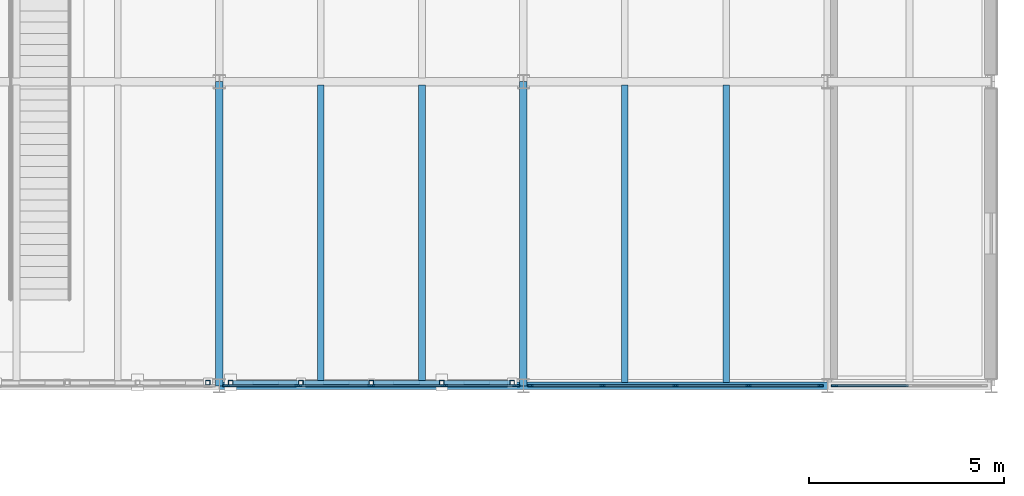
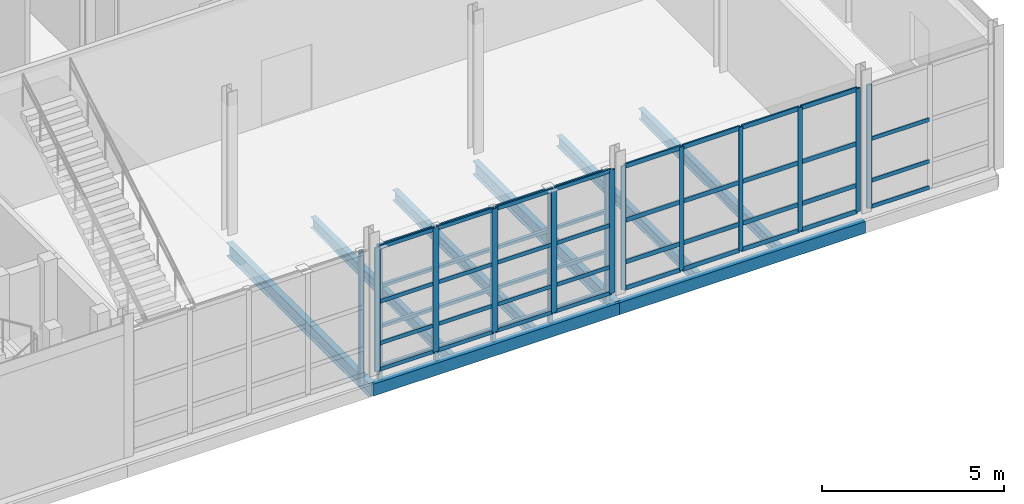
# One storey, part 60 of 131: 68 members, 8 beams, 3 elements without a shape of their own.
"""IFC4 building model written with IfcOpenShell, lengths in metres."""

from ifc_helpers import new_model, si_unit, direction, frame, origin, origin_2d, place, context, subcontext, project, spatial, rectangle, hollow_rectangle, i_section, extrude, material, layer, layer_set, material_profile, profile_set, type_object, element, aggregate, save


model = new_model("IFC4")

# Units and contexts
model_context = context("Model", 3, precision=1e-05, world=origin(), true_north=direction((0.0, 1.0)))
body_context = subcontext(model_context, "Body", "Model", "MODEL_VIEW")
ifc_project = project(units=[si_unit("LENGTHUNIT", "METRE"), si_unit("AREAUNIT", "SQUARE_METRE"), si_unit("VOLUMEUNIT", "CUBIC_METRE"), si_unit("PLANEANGLEUNIT", "RADIAN"), si_unit("MASSUNIT", "GRAM", prefix="KILO")], contexts=[model_context])

# Site, building, storey
site_placement = place(None, origin())
site = spatial("IfcSite", under=ifc_project, at=site_placement, CompositionType="ELEMENT")
building_placement = place(site_placement, origin())
building = spatial("IfcBuilding", under=site, at=building_placement, Name="Celorna Specialist Clinic", CompositionType="ELEMENT")
storey_placement = place(building_placement, origin())
storey = spatial("IfcBuildingStorey", under=building, at=storey_placement, Name="L00", CompositionType="ELEMENT", Elevation=0.0)

# Beams
ifc_material_1 = material(Name="Steel S355", Category="steel")
ifc_material_profile_1 = material_profile(ifc_material_1, i_section(OverallWidth=0.18994140625, OverallDepth=0.449951171875, WebThickness=0.009521484375, FlangeThickness=0.0146484375, at=origin_2d()), Name="IPE 450")
ifc_profile_set_1 = profile_set([ifc_material_profile_1], Name="Steel S355")
beam_type_1 = type_object("IfcBeamType", Name="BM-09", PredefinedType="BEAM", material=ifc_profile_set_1)
for number, where, z_axis, x_axis, name in (
    (1, (148.199951171875, 60.0, -0.56494140625), (0.0, 1.0, 0.0), (-1.0, 0.0, 0.0), "Transverse girder BM-09 #567"),
    (2, (156.0, 60.0, -0.56494140625), (0.0, 1.0, 0.0), (-1.0, 0.0, 0.0), "Transverse girder BM-09 #570"),
):
    element("IfcBeam", number, at=place(storey_placement, frame(where, z_axis=z_axis, x_axis=x_axis)), inside=storey, type_object=beam_type_1, Name=name, PredefinedType="BEAM", context=body_context, shape_type="SweptSolid", body=[
        extrude(i_section(OverallWidth=0.18994140625, OverallDepth=0.449951171875, WebThickness=0.009521484375, FlangeThickness=0.0146484375, at=origin_2d()), origin(), (0.0, 0.0, 1.0), 7.800048828125),
    ])
ifc_material_profile_2 = material_profile(ifc_material_1, i_section(OverallWidth=0.169921875, OverallDepth=0.360107421875, WebThickness=0.008056640625, FlangeThickness=0.0126953125, at=origin_2d()), Name="IPE 360")
ifc_profile_set_2 = profile_set([ifc_material_profile_2], Name="Steel S355")
beam_type_2 = type_object("IfcBeamType", Name="BM-11", PredefinedType="JOIST", material=ifc_profile_set_2)
for number, where, z_axis, x_axis, name in (
    (3, (150.800048828125, 60.087890625, -0.52001953125), (0.0, 1.0, 0.0), (-1.0, 0.0, 0.0), "Secondary floor joist BM-11 #596"),
    (4, (153.39990234375, 60.087890625, -0.52001953125), (0.0, 1.0, 0.0), (-1.0, 0.0, 0.0), "Secondary floor joist BM-11 #597"),
    (5, (158.60009765625, 60.087890625, -0.52001953125), (0.0, 1.0, 0.0), (-1.0, 0.0, 0.0), "Secondary floor joist BM-11 #602"),
    (6, (161.199951171875, 60.087890625, -0.52001953125), (0.0, 1.0, 0.0), (-1.0, 0.0, 0.0), "Secondary floor joist BM-11 #603"),
):
    element("IfcBeam", number, at=place(storey_placement, frame(where, z_axis=z_axis, x_axis=x_axis)), inside=storey, type_object=beam_type_2, Name=name, PredefinedType="JOIST", context=body_context, shape_type="SweptSolid", body=[
        extrude(i_section(OverallWidth=0.169921875, OverallDepth=0.360107421875, WebThickness=0.008056640625, FlangeThickness=0.0126953125, at=origin_2d()), origin(), (0.0, 0.0, 1.0), 7.6240234375),
    ])
ifc_material_profile_3 = material_profile(ifc_material_1, hollow_rectangle(XDim=0.199951171875, YDim=0.39990234375, WallThickness=0.011962890625, at=origin_2d()), Name="RHS 200x400x12")
ifc_profile_set_3 = profile_set([ifc_material_profile_3], Name="Steel S355")
beam_type_3 = type_object("IfcBeamType", Name="BM-15", PredefinedType="SPANDREL", material=ifc_profile_set_3)
for number, where, z_axis, x_axis, name in (
    (7, (148.199951171875, 60.0, -0.5400390625), (1.0, 0.0, 0.0), (0.0, 1.0, 0.0), "Spandrel beam BM-15 #537"),
    (8, (156.0, 60.0, -0.5400390625), (1.0, 0.0, 0.0), (0.0, 1.0, 0.0), "Spandrel beam BM-15 #538"),
):
    element("IfcBeam", number, at=place(storey_placement, frame(where, z_axis=z_axis, x_axis=x_axis)), inside=storey, type_object=beam_type_3, Name=name, PredefinedType="SPANDREL", context=body_context, shape_type="SweptSolid", body=[
        extrude(hollow_rectangle(XDim=0.199951171875, YDim=0.39990234375, WallThickness=0.011962890625, at=origin_2d()), origin(), (0.0, 0.0, 1.0), 7.800048828125),
    ])

# Members
ifc_material_profile_4 = material_profile(ifc_material_1, hollow_rectangle(XDim=0.1201171875, YDim=0.1201171875, WallThickness=0.008056640625, at=origin_2d()), Name="SHS 120x120x8")
ifc_profile_set_4 = profile_set([ifc_material_profile_4], Name="Steel S355")
member_type_1 = type_object("IfcMemberType", Name="MB-11", PredefinedType="STUD", material=ifc_profile_set_4)
for number, where, z_axis, x_axis, name in (
    (9, (147.909912109375, 60.080078125, -0.360107421875), (0.0, 0.0, 1.0), (1.0, 0.0, 0.0), "Perforated screen steel post #1964"),
    (10, (148.489990234375, 60.080078125, -0.360107421875), (0.0, 0.0, 1.0), (1.0, 0.0, 0.0), "Perforated screen steel post #1981"),
    (11, (150.294921875, 60.080078125, -0.360107421875), (0.0, 0.0, 1.0), (1.0, 0.0, 0.0), "Perforated screen steel post #1982"),
    (12, (152.10009765625, 60.080078125, -0.360107421875), (0.0, 0.0, 1.0), (1.0, 0.0, 0.0), "Perforated screen steel post #1983"),
    (13, (153.905029296875, 60.080078125, -0.360107421875), (0.0, 0.0, 1.0), (1.0, 0.0, 0.0), "Perforated screen steel post #1984"),
    (14, (155.7099609375, 60.080078125, -0.360107421875), (0.0, 0.0, 1.0), (1.0, 0.0, 0.0), "Perforated screen steel post #1985"),
):
    element("IfcMember", number, at=place(storey_placement, frame(where, z_axis=z_axis, x_axis=x_axis)), inside=storey, type_object=member_type_1, Name=name, PredefinedType="STUD", context=body_context, shape_type="SweptSolid", body=[
        extrude(hollow_rectangle(XDim=0.1201171875, YDim=0.1201171875, WallThickness=0.008056640625, at=origin_2d()), origin(), (0.0, 0.0, 1.0), 4.5),
    ])
ifc_material_profile_5 = material_profile(ifc_material_1, hollow_rectangle(XDim=0.10009765625, YDim=0.10009765625, WallThickness=0.006103515625, at=origin_2d()), Name="SHS 100x100x6")
ifc_profile_set_5 = profile_set([ifc_material_profile_5], Name="Steel S355")
member_type_2 = type_object("IfcMemberType", Name="MB-12", PredefinedType="STUD", material=ifc_profile_set_5)
for number, where, z_axis, x_axis, name in (
    (15, (148.550048828125, 60.080078125, 0.050048828125), (1.0, 0.0, 0.0), (0.0, 1.0, 0.0), "Perforated screen rail #1986"),
    (16, (148.550048828125, 60.080078125, 1.396728515625), (1.0, 0.0, 0.0), (0.0, 1.0, 0.0), "Perforated screen rail #1987"),
    (17, (148.550048828125, 60.080078125, 2.743408203125), (1.0, 0.0, 0.0), (0.0, 1.0, 0.0), "Perforated screen rail #1988"),
    (18, (148.550048828125, 60.080078125, 4.090087890625), (1.0, 0.0, 0.0), (0.0, 1.0, 0.0), "Perforated screen rail #1989"),
    (19, (150.35498046875, 60.080078125, 0.050048828125), (1.0, 0.0, 0.0), (0.0, 1.0, 0.0), "Perforated screen rail #1990"),
    (20, (150.35498046875, 60.080078125, 1.396728515625), (1.0, 0.0, 0.0), (0.0, 1.0, 0.0), "Perforated screen rail #1991"),
    (21, (150.35498046875, 60.080078125, 2.743408203125), (1.0, 0.0, 0.0), (0.0, 1.0, 0.0), "Perforated screen rail #1992"),
    (22, (150.35498046875, 60.080078125, 4.090087890625), (1.0, 0.0, 0.0), (0.0, 1.0, 0.0), "Perforated screen rail #1993"),
    (23, (152.159912109375, 60.080078125, 0.050048828125), (1.0, 0.0, 0.0), (0.0, 1.0, 0.0), "Perforated screen rail #1994"),
    (24, (152.159912109375, 60.080078125, 1.396728515625), (1.0, 0.0, 0.0), (0.0, 1.0, 0.0), "Perforated screen rail #1995"),
    (25, (152.159912109375, 60.080078125, 2.743408203125), (1.0, 0.0, 0.0), (0.0, 1.0, 0.0), "Perforated screen rail #1996"),
    (26, (152.159912109375, 60.080078125, 4.090087890625), (1.0, 0.0, 0.0), (0.0, 1.0, 0.0), "Perforated screen rail #1997"),
):
    element("IfcMember", number, at=place(storey_placement, frame(where, z_axis=z_axis, x_axis=x_axis)), inside=storey, type_object=member_type_2, Name=name, PredefinedType="STUD", context=body_context, shape_type="SweptSolid", body=[
        extrude(hollow_rectangle(XDim=0.10009765625, YDim=0.10009765625, WallThickness=0.006103515625, at=origin_2d()), origin(), (0.0, 0.0, 1.0), 1.68505859375),
    ])
for number, where, z_axis, x_axis, name in (
    (27, (153.965087890625, 60.080078125, 0.050048828125), (1.0, 0.0, 0.0), (0.0, 1.0, 0.0), "Perforated screen rail #1998"),
    (28, (153.965087890625, 60.080078125, 1.396728515625), (1.0, 0.0, 0.0), (0.0, 1.0, 0.0), "Perforated screen rail #1999"),
    (29, (153.965087890625, 60.080078125, 2.743408203125), (1.0, 0.0, 0.0), (0.0, 1.0, 0.0), "Perforated screen rail #2000"),
    (30, (153.965087890625, 60.080078125, 4.090087890625), (1.0, 0.0, 0.0), (0.0, 1.0, 0.0), "Perforated screen rail #2001"),
):
    element("IfcMember", number, at=place(storey_placement, frame(where, z_axis=z_axis, x_axis=x_axis)), inside=storey, type_object=member_type_2, Name=name, PredefinedType="STUD", context=body_context, shape_type="SweptSolid", body=[
        extrude(hollow_rectangle(XDim=0.10009765625, YDim=0.10009765625, WallThickness=0.006103515625, at=origin_2d()), origin(), (0.0, 0.0, 1.0), 1.684814453125),
    ])

# Curtain wall, member
ifc_material_2 = material(Name="Thermally broken aluminium and solar-control glass curtain wall", Category="aluminium")
ifc_layer_1 = layer(ifc_material_2, 0.159912109375, Name="Thermally broken aluminium and solar-control glass curtain wall")
ifc_layer_set_1 = layer_set([ifc_layer_1], Name="Thermally broken aluminium and solar-control glass curtain wall")
curtain_wall_type_1 = type_object("IfcCurtainWallType", Name="CW-37", PredefinedType="NOTDEFINED", material=ifc_layer_set_1)
curtain_wall_1_placement = place(storey_placement, origin())
curtain_wall_1 = element("IfcCurtainWall", 31, at=curtain_wall_1_placement, inside=storey, type_object=curtain_wall_type_1, Name="Curtain wall CW-37 #68", PredefinedType="NOTDEFINED")
ifc_material_3 = material(Name="Anodized aluminium mullion", Category="aluminium")
ifc_material_profile_6 = material_profile(ifc_material_3, rectangle(XDim=0.050048828125, YDim=0.159912109375, at=origin_2d()), Name="ALU MULLION 50x160")
ifc_profile_set_6 = profile_set([ifc_material_profile_6], Name="Anodized aluminium mullion")
member_type_3 = type_object("IfcMemberType", Name="ML-01", PredefinedType="MULLION", material=ifc_profile_set_6)
member_1_placement = place(storey_placement, frame((163.97900390625, 60.0, 0.0), z_axis=(0.0, 0.0, 1.0), x_axis=(0.0, -1.0, 0.0)))
member_1 = element("IfcMember", 32, at=member_1_placement, type_object=member_type_3, Name="CW-37 mullion 3", PredefinedType="MULLION", context=body_context, shape_type="SweptSolid", body=[
    extrude(rectangle(XDim=0.050048828125, YDim=0.159912109375, at=origin_2d()), origin(), (0.0, 0.0, 1.0), 4.139892578125),
])

# Curtain wall, members
ifc_layer_2 = layer(ifc_material_2, 0.159912109375, Name="Thermally broken aluminium and solar-control glass curtain wall")
ifc_layer_set_2 = layer_set([ifc_layer_2], Name="Thermally broken aluminium and solar-control glass curtain wall")
curtain_wall_type_2 = type_object("IfcCurtainWallType", Name="CW-34", PredefinedType="NOTDEFINED", material=ifc_layer_set_2)
curtain_wall_2_placement = place(storey_placement, origin())
curtain_wall_2 = element("IfcCurtainWall", 33, at=curtain_wall_2_placement, inside=storey, type_object=curtain_wall_type_2, Name="Curtain wall CW-34 #66", PredefinedType="NOTDEFINED")
ifc_material_profile_7 = material_profile(ifc_material_3, rectangle(XDim=0.050048828125, YDim=0.179931640625, at=origin_2d()), Name="ALU MULLION 50x180")
ifc_profile_set_7 = profile_set([ifc_material_profile_7], Name="Anodized aluminium mullion")
member_type_4 = type_object("IfcMemberType", Name="ML-02", PredefinedType="MULLION", material=ifc_profile_set_7)
member_2_placement = place(storey_placement, frame((155.821044921875, 60.0, 0.0), z_axis=(0.0, 0.0, 1.0), x_axis=(0.0, -1.0, 0.0)))
member_2 = element("IfcMember", 34, at=member_2_placement, type_object=member_type_4, Name="CW-34 mullion 1", PredefinedType="MULLION", context=body_context, shape_type="SweptSolid", body=[
    extrude(rectangle(XDim=0.050048828125, YDim=0.179931640625, at=origin_2d()), origin(), (0.0, 0.0, 1.0), 4.139892578125),
])
member_3_placement = place(storey_placement, frame((153.972900390625, 60.0, 0.0), z_axis=(0.0, 0.0, 1.0), x_axis=(0.0, -1.0, 0.0)))
member_3 = element("IfcMember", 35, at=member_3_placement, type_object=member_type_4, Name="CW-34 mullion 2", PredefinedType="MULLION", context=body_context, shape_type="SweptSolid", body=[
    extrude(rectangle(XDim=0.050048828125, YDim=0.179931640625, at=origin_2d()), origin(), (0.0, 0.0, 1.0), 4.139892578125),
])
member_4_placement = place(storey_placement, frame((152.10009765625, 60.0, 0.0), z_axis=(0.0, 0.0, 1.0), x_axis=(0.0, -1.0, 0.0)))
member_4 = element("IfcMember", 36, at=member_4_placement, type_object=member_type_4, Name="CW-34 mullion 3", PredefinedType="MULLION", context=body_context, shape_type="SweptSolid", body=[
    extrude(rectangle(XDim=0.050048828125, YDim=0.179931640625, at=origin_2d()), origin(), (0.0, 0.0, 1.0), 4.139892578125),
])
member_5_placement = place(storey_placement, frame((150.22705078125, 60.0, 0.0), z_axis=(0.0, 0.0, 1.0), x_axis=(0.0, -1.0, 0.0)))
member_5 = element("IfcMember", 37, at=member_5_placement, type_object=member_type_4, Name="CW-34 mullion 4", PredefinedType="MULLION", context=body_context, shape_type="SweptSolid", body=[
    extrude(rectangle(XDim=0.050048828125, YDim=0.179931640625, at=origin_2d()), origin(), (0.0, 0.0, 1.0), 4.139892578125),
])
member_6_placement = place(storey_placement, frame((148.37890625, 60.0, 0.0), z_axis=(0.0, 0.0, 1.0), x_axis=(0.0, -1.0, 0.0)))
member_6 = element("IfcMember", 38, at=member_6_placement, type_object=member_type_4, Name="CW-34 mullion 5", PredefinedType="MULLION", context=body_context, shape_type="SweptSolid", body=[
    extrude(rectangle(XDim=0.050048828125, YDim=0.179931640625, at=origin_2d()), origin(), (0.0, 0.0, 1.0), 4.139892578125),
])

ifc_layer_3 = layer(ifc_material_2, 0.159912109375, Name="Thermally broken aluminium and solar-control glass curtain wall")
ifc_layer_set_3 = layer_set([ifc_layer_3], Name="Thermally broken aluminium and solar-control glass curtain wall")
curtain_wall_type_3 = type_object("IfcCurtainWallType", Name="CW-36", PredefinedType="NOTDEFINED", material=ifc_layer_set_3)
curtain_wall_3_placement = place(storey_placement, origin())
curtain_wall_3 = element("IfcCurtainWall", 39, at=curtain_wall_3_placement, inside=storey, type_object=curtain_wall_type_3, Name="Curtain wall CW-36 #67", PredefinedType="NOTDEFINED")
ifc_material_profile_8 = material_profile(ifc_material_3, rectangle(XDim=0.050048828125, YDim=0.139892578125, at=origin_2d()), Name="ALU MULLION 50x140")
ifc_profile_set_8 = profile_set([ifc_material_profile_8], Name="Anodized aluminium mullion")
member_type_5 = type_object("IfcMemberType", Name="ML-03", PredefinedType="MULLION", material=ifc_profile_set_8)
member_7_placement = place(storey_placement, frame((163.62109375, 60.0, 0.0), z_axis=(0.0, 0.0, 1.0), x_axis=(0.0, -1.0, 0.0)))
member_7 = element("IfcMember", 40, at=member_7_placement, type_object=member_type_5, Name="CW-36 mullion 1", PredefinedType="MULLION", context=body_context, shape_type="SweptSolid", body=[
    extrude(rectangle(XDim=0.050048828125, YDim=0.139892578125, at=origin_2d()), origin(), (0.0, 0.0, 1.0), 4.139892578125),
])
member_8_placement = place(storey_placement, frame((161.77294921875, 60.0, 0.0), z_axis=(0.0, 0.0, 1.0), x_axis=(0.0, -1.0, 0.0)))
member_8 = element("IfcMember", 41, at=member_8_placement, type_object=member_type_5, Name="CW-36 mullion 2", PredefinedType="MULLION", context=body_context, shape_type="SweptSolid", body=[
    extrude(rectangle(XDim=0.050048828125, YDim=0.139892578125, at=origin_2d()), origin(), (0.0, 0.0, 1.0), 4.139892578125),
])
member_9_placement = place(storey_placement, frame((159.89990234375, 60.0, 0.0), z_axis=(0.0, 0.0, 1.0), x_axis=(0.0, -1.0, 0.0)))
member_9 = element("IfcMember", 42, at=member_9_placement, type_object=member_type_5, Name="CW-36 mullion 3", PredefinedType="MULLION", context=body_context, shape_type="SweptSolid", body=[
    extrude(rectangle(XDim=0.050048828125, YDim=0.139892578125, at=origin_2d()), origin(), (0.0, 0.0, 1.0), 4.139892578125),
])
member_10_placement = place(storey_placement, frame((158.027099609375, 60.0, 0.0), z_axis=(0.0, 0.0, 1.0), x_axis=(0.0, -1.0, 0.0)))
member_10 = element("IfcMember", 43, at=member_10_placement, type_object=member_type_5, Name="CW-36 mullion 4", PredefinedType="MULLION", context=body_context, shape_type="SweptSolid", body=[
    extrude(rectangle(XDim=0.050048828125, YDim=0.139892578125, at=origin_2d()), origin(), (0.0, 0.0, 1.0), 4.139892578125),
])
member_11_placement = place(storey_placement, frame((156.178955078125, 60.0, 0.0), z_axis=(0.0, 0.0, 1.0), x_axis=(0.0, -1.0, 0.0)))
member_11 = element("IfcMember", 44, at=member_11_placement, type_object=member_type_5, Name="CW-36 mullion 5", PredefinedType="MULLION", context=body_context, shape_type="SweptSolid", body=[
    extrude(rectangle(XDim=0.050048828125, YDim=0.139892578125, at=origin_2d()), origin(), (0.0, 0.0, 1.0), 4.139892578125),
])

# Member
ifc_material_4 = material(Name="Anodized aluminium transom", Category="aluminium")
ifc_material_profile_9 = material_profile(ifc_material_4, rectangle(XDim=0.050048828125, YDim=0.1298828125, at=origin_2d()), Name="ALU TRANSOM 50x130")
ifc_profile_set_9 = profile_set([ifc_material_profile_9], Name="Anodized aluminium transom")
member_type_6 = type_object("IfcMemberType", Name="TR-01", PredefinedType="USERDEFINED", material=ifc_profile_set_9)
member_12_placement = place(storey_placement, frame((155.7958984375, 60.0, 0.02490234375), z_axis=(-1.0, 0.0, 0.0), x_axis=(0.0, -1.0, 0.0)))
member_12 = element("IfcMember", 45, at=member_12_placement, type_object=member_type_6, Name="CW-34 transom 1.1", ObjectType="TRANSOM", PredefinedType="USERDEFINED", context=body_context, shape_type="SweptSolid", body=[
    extrude(rectangle(XDim=0.050048828125, YDim=0.1298828125, at=origin_2d()), origin(), (0.0, 0.0, 1.0), 1.7978515625),
])

member_13_placement = place(storey_placement, frame((155.7958984375, 60.0, 0.89990234375), z_axis=(-1.0, 0.0, 0.0), x_axis=(0.0, -1.0, 0.0)))
member_13 = element("IfcMember", 46, at=member_13_placement, type_object=member_type_6, Name="CW-34 transom 1.2", ObjectType="TRANSOM", PredefinedType="USERDEFINED", context=body_context, shape_type="SweptSolid", body=[
    extrude(rectangle(XDim=0.050048828125, YDim=0.1298828125, at=origin_2d()), origin(), (0.0, 0.0, 1.0), 1.7978515625),
])

member_14_placement = place(storey_placement, frame((155.7958984375, 60.0, 2.300048828125), z_axis=(-1.0, 0.0, 0.0), x_axis=(0.0, -1.0, 0.0)))
member_14 = element("IfcMember", 47, at=member_14_placement, type_object=member_type_6, Name="CW-34 transom 1.3", ObjectType="TRANSOM", PredefinedType="USERDEFINED", context=body_context, shape_type="SweptSolid", body=[
    extrude(rectangle(XDim=0.050048828125, YDim=0.1298828125, at=origin_2d()), origin(), (0.0, 0.0, 1.0), 1.7978515625),
])

member_15_placement = place(storey_placement, frame((155.7958984375, 60.0, 4.114990234375), z_axis=(-1.0, 0.0, 0.0), x_axis=(0.0, -1.0, 0.0)))
member_15 = element("IfcMember", 48, at=member_15_placement, type_object=member_type_6, Name="CW-34 transom 1.4", ObjectType="TRANSOM", PredefinedType="USERDEFINED", context=body_context, shape_type="SweptSolid", body=[
    extrude(rectangle(XDim=0.050048828125, YDim=0.1298828125, at=origin_2d()), origin(), (0.0, 0.0, 1.0), 1.7978515625),
])

member_16_placement = place(storey_placement, frame((153.947998046875, 60.0, 0.02490234375), z_axis=(-1.0, 0.0, 0.0), x_axis=(0.0, -1.0, 0.0)))
member_16 = element("IfcMember", 49, at=member_16_placement, type_object=member_type_6, Name="CW-34 transom 2.1", ObjectType="TRANSOM", PredefinedType="USERDEFINED", context=body_context, shape_type="SweptSolid", body=[
    extrude(rectangle(XDim=0.050048828125, YDim=0.1298828125, at=origin_2d()), origin(), (0.0, 0.0, 1.0), 1.822998046875),
])

member_17_placement = place(storey_placement, frame((153.947998046875, 60.0, 0.89990234375), z_axis=(-1.0, 0.0, 0.0), x_axis=(0.0, -1.0, 0.0)))
member_17 = element("IfcMember", 50, at=member_17_placement, type_object=member_type_6, Name="CW-34 transom 2.2", ObjectType="TRANSOM", PredefinedType="USERDEFINED", context=body_context, shape_type="SweptSolid", body=[
    extrude(rectangle(XDim=0.050048828125, YDim=0.1298828125, at=origin_2d()), origin(), (0.0, 0.0, 1.0), 1.822998046875),
])

member_18_placement = place(storey_placement, frame((153.947998046875, 60.0, 2.300048828125), z_axis=(-1.0, 0.0, 0.0), x_axis=(0.0, -1.0, 0.0)))
member_18 = element("IfcMember", 51, at=member_18_placement, type_object=member_type_6, Name="CW-34 transom 2.3", ObjectType="TRANSOM", PredefinedType="USERDEFINED", context=body_context, shape_type="SweptSolid", body=[
    extrude(rectangle(XDim=0.050048828125, YDim=0.1298828125, at=origin_2d()), origin(), (0.0, 0.0, 1.0), 1.822998046875),
])

member_19_placement = place(storey_placement, frame((153.947998046875, 60.0, 4.114990234375), z_axis=(-1.0, 0.0, 0.0), x_axis=(0.0, -1.0, 0.0)))
member_19 = element("IfcMember", 52, at=member_19_placement, type_object=member_type_6, Name="CW-34 transom 2.4", ObjectType="TRANSOM", PredefinedType="USERDEFINED", context=body_context, shape_type="SweptSolid", body=[
    extrude(rectangle(XDim=0.050048828125, YDim=0.1298828125, at=origin_2d()), origin(), (0.0, 0.0, 1.0), 1.822998046875),
])

member_20_placement = place(storey_placement, frame((152.074951171875, 60.0, 0.02490234375), z_axis=(-1.0, 0.0, 0.0), x_axis=(0.0, -1.0, 0.0)))
member_20 = element("IfcMember", 53, at=member_20_placement, type_object=member_type_6, Name="CW-34 transom 3.1", ObjectType="TRANSOM", PredefinedType="USERDEFINED", context=body_context, shape_type="SweptSolid", body=[
    extrude(rectangle(XDim=0.050048828125, YDim=0.1298828125, at=origin_2d()), origin(), (0.0, 0.0, 1.0), 1.822998046875),
])

member_21_placement = place(storey_placement, frame((152.074951171875, 60.0, 0.89990234375), z_axis=(-1.0, 0.0, 0.0), x_axis=(0.0, -1.0, 0.0)))
member_21 = element("IfcMember", 54, at=member_21_placement, type_object=member_type_6, Name="CW-34 transom 3.2", ObjectType="TRANSOM", PredefinedType="USERDEFINED", context=body_context, shape_type="SweptSolid", body=[
    extrude(rectangle(XDim=0.050048828125, YDim=0.1298828125, at=origin_2d()), origin(), (0.0, 0.0, 1.0), 1.822998046875),
])

member_22_placement = place(storey_placement, frame((152.074951171875, 60.0, 2.300048828125), z_axis=(-1.0, 0.0, 0.0), x_axis=(0.0, -1.0, 0.0)))
member_22 = element("IfcMember", 55, at=member_22_placement, type_object=member_type_6, Name="CW-34 transom 3.3", ObjectType="TRANSOM", PredefinedType="USERDEFINED", context=body_context, shape_type="SweptSolid", body=[
    extrude(rectangle(XDim=0.050048828125, YDim=0.1298828125, at=origin_2d()), origin(), (0.0, 0.0, 1.0), 1.822998046875),
])

member_23_placement = place(storey_placement, frame((152.074951171875, 60.0, 4.114990234375), z_axis=(-1.0, 0.0, 0.0), x_axis=(0.0, -1.0, 0.0)))
member_23 = element("IfcMember", 56, at=member_23_placement, type_object=member_type_6, Name="CW-34 transom 3.4", ObjectType="TRANSOM", PredefinedType="USERDEFINED", context=body_context, shape_type="SweptSolid", body=[
    extrude(rectangle(XDim=0.050048828125, YDim=0.1298828125, at=origin_2d()), origin(), (0.0, 0.0, 1.0), 1.822998046875),
])

member_24_placement = place(storey_placement, frame((150.201904296875, 60.0, 0.02490234375), z_axis=(-1.0, 0.0, 0.0), x_axis=(0.0, -1.0, 0.0)))
member_24 = element("IfcMember", 57, at=member_24_placement, type_object=member_type_6, Name="CW-34 transom 4.1", ObjectType="TRANSOM", PredefinedType="USERDEFINED", context=body_context, shape_type="SweptSolid", body=[
    extrude(rectangle(XDim=0.050048828125, YDim=0.1298828125, at=origin_2d()), origin(), (0.0, 0.0, 1.0), 1.7978515625),
])

member_25_placement = place(storey_placement, frame((150.201904296875, 60.0, 0.89990234375), z_axis=(-1.0, 0.0, 0.0), x_axis=(0.0, -1.0, 0.0)))
member_25 = element("IfcMember", 58, at=member_25_placement, type_object=member_type_6, Name="CW-34 transom 4.2", ObjectType="TRANSOM", PredefinedType="USERDEFINED", context=body_context, shape_type="SweptSolid", body=[
    extrude(rectangle(XDim=0.050048828125, YDim=0.1298828125, at=origin_2d()), origin(), (0.0, 0.0, 1.0), 1.7978515625),
])

member_26_placement = place(storey_placement, frame((150.201904296875, 60.0, 2.300048828125), z_axis=(-1.0, 0.0, 0.0), x_axis=(0.0, -1.0, 0.0)))
member_26 = element("IfcMember", 59, at=member_26_placement, type_object=member_type_6, Name="CW-34 transom 4.3", ObjectType="TRANSOM", PredefinedType="USERDEFINED", context=body_context, shape_type="SweptSolid", body=[
    extrude(rectangle(XDim=0.050048828125, YDim=0.1298828125, at=origin_2d()), origin(), (0.0, 0.0, 1.0), 1.7978515625),
])

member_27_placement = place(storey_placement, frame((150.201904296875, 60.0, 4.114990234375), z_axis=(-1.0, 0.0, 0.0), x_axis=(0.0, -1.0, 0.0)))
member_27 = element("IfcMember", 60, at=member_27_placement, type_object=member_type_6, Name="CW-34 transom 4.4", ObjectType="TRANSOM", PredefinedType="USERDEFINED", context=body_context, shape_type="SweptSolid", body=[
    extrude(rectangle(XDim=0.050048828125, YDim=0.1298828125, at=origin_2d()), origin(), (0.0, 0.0, 1.0), 1.7978515625),
])

aggregate(curtain_wall_2, [member_2, member_3, member_4, member_5, member_6, member_12, member_13, member_14, member_15, member_16, member_17, member_18, member_19, member_20, member_21, member_22, member_23, member_24, member_25, member_26, member_27])

member_28_placement = place(storey_placement, frame((165.875, 60.0, 0.02490234375), z_axis=(-1.0, 0.0, 0.0), x_axis=(0.0, -1.0, 0.0)))
member_28 = element("IfcMember", 61, at=member_28_placement, type_object=member_type_6, Name="CW-37 transom 2.1", ObjectType="TRANSOM", PredefinedType="USERDEFINED", context=body_context, shape_type="SweptSolid", body=[
    extrude(rectangle(XDim=0.050048828125, YDim=0.1298828125, at=origin_2d()), origin(), (0.0, 0.0, 1.0), 1.87109375),
])

member_29_placement = place(storey_placement, frame((165.875, 60.0, 0.89990234375), z_axis=(-1.0, 0.0, 0.0), x_axis=(0.0, -1.0, 0.0)))
member_29 = element("IfcMember", 62, at=member_29_placement, type_object=member_type_6, Name="CW-37 transom 2.2", ObjectType="TRANSOM", PredefinedType="USERDEFINED", context=body_context, shape_type="SweptSolid", body=[
    extrude(rectangle(XDim=0.050048828125, YDim=0.1298828125, at=origin_2d()), origin(), (0.0, 0.0, 1.0), 1.87109375),
])

member_30_placement = place(storey_placement, frame((165.875, 60.0, 2.300048828125), z_axis=(-1.0, 0.0, 0.0), x_axis=(0.0, -1.0, 0.0)))
member_30 = element("IfcMember", 63, at=member_30_placement, type_object=member_type_6, Name="CW-37 transom 2.3", ObjectType="TRANSOM", PredefinedType="USERDEFINED", context=body_context, shape_type="SweptSolid", body=[
    extrude(rectangle(XDim=0.050048828125, YDim=0.1298828125, at=origin_2d()), origin(), (0.0, 0.0, 1.0), 1.87109375),
])

aggregate(curtain_wall_1, [member_1, member_28, member_29, member_30])

ifc_material_profile_10 = material_profile(ifc_material_4, rectangle(XDim=0.050048828125, YDim=0.14990234375, at=origin_2d()), Name="ALU TRANSOM 50x150")
ifc_profile_set_10 = profile_set([ifc_material_profile_10], Name="Anodized aluminium transom")
member_type_7 = type_object("IfcMemberType", Name="TR-02", PredefinedType="USERDEFINED", material=ifc_profile_set_10)
member_31_placement = place(storey_placement, frame((163.595947265625, 60.0, 0.02490234375), z_axis=(-1.0, 0.0, 0.0), x_axis=(0.0, -1.0, 0.0)))
member_31 = element("IfcMember", 64, at=member_31_placement, type_object=member_type_7, Name="CW-36 transom 1.1", ObjectType="TRANSOM", PredefinedType="USERDEFINED", context=body_context, shape_type="SweptSolid", body=[
    extrude(rectangle(XDim=0.050048828125, YDim=0.14990234375, at=origin_2d()), origin(), (0.0, 0.0, 1.0), 1.7978515625),
])

member_32_placement = place(storey_placement, frame((163.595947265625, 60.0, 0.89990234375), z_axis=(-1.0, 0.0, 0.0), x_axis=(0.0, -1.0, 0.0)))
member_32 = element("IfcMember", 65, at=member_32_placement, type_object=member_type_7, Name="CW-36 transom 1.2", ObjectType="TRANSOM", PredefinedType="USERDEFINED", context=body_context, shape_type="SweptSolid", body=[
    extrude(rectangle(XDim=0.050048828125, YDim=0.14990234375, at=origin_2d()), origin(), (0.0, 0.0, 1.0), 1.7978515625),
])

member_33_placement = place(storey_placement, frame((163.595947265625, 60.0, 2.300048828125), z_axis=(-1.0, 0.0, 0.0), x_axis=(0.0, -1.0, 0.0)))
member_33 = element("IfcMember", 66, at=member_33_placement, type_object=member_type_7, Name="CW-36 transom 1.3", ObjectType="TRANSOM", PredefinedType="USERDEFINED", context=body_context, shape_type="SweptSolid", body=[
    extrude(rectangle(XDim=0.050048828125, YDim=0.14990234375, at=origin_2d()), origin(), (0.0, 0.0, 1.0), 1.7978515625),
])

member_34_placement = place(storey_placement, frame((163.595947265625, 60.0, 4.114990234375), z_axis=(-1.0, 0.0, 0.0), x_axis=(0.0, -1.0, 0.0)))
member_34 = element("IfcMember", 67, at=member_34_placement, type_object=member_type_7, Name="CW-36 transom 1.4", ObjectType="TRANSOM", PredefinedType="USERDEFINED", context=body_context, shape_type="SweptSolid", body=[
    extrude(rectangle(XDim=0.050048828125, YDim=0.14990234375, at=origin_2d()), origin(), (0.0, 0.0, 1.0), 1.7978515625),
])

member_35_placement = place(storey_placement, frame((161.748046875, 60.0, 0.02490234375), z_axis=(-1.0, 0.0, 0.0), x_axis=(0.0, -1.0, 0.0)))
member_35 = element("IfcMember", 68, at=member_35_placement, type_object=member_type_7, Name="CW-36 transom 2.1", ObjectType="TRANSOM", PredefinedType="USERDEFINED", context=body_context, shape_type="SweptSolid", body=[
    extrude(rectangle(XDim=0.050048828125, YDim=0.14990234375, at=origin_2d()), origin(), (0.0, 0.0, 1.0), 1.822998046875),
])

member_36_placement = place(storey_placement, frame((161.748046875, 60.0, 0.89990234375), z_axis=(-1.0, 0.0, 0.0), x_axis=(0.0, -1.0, 0.0)))
member_36 = element("IfcMember", 69, at=member_36_placement, type_object=member_type_7, Name="CW-36 transom 2.2", ObjectType="TRANSOM", PredefinedType="USERDEFINED", context=body_context, shape_type="SweptSolid", body=[
    extrude(rectangle(XDim=0.050048828125, YDim=0.14990234375, at=origin_2d()), origin(), (0.0, 0.0, 1.0), 1.822998046875),
])

member_37_placement = place(storey_placement, frame((161.748046875, 60.0, 2.300048828125), z_axis=(-1.0, 0.0, 0.0), x_axis=(0.0, -1.0, 0.0)))
member_37 = element("IfcMember", 70, at=member_37_placement, type_object=member_type_7, Name="CW-36 transom 2.3", ObjectType="TRANSOM", PredefinedType="USERDEFINED", context=body_context, shape_type="SweptSolid", body=[
    extrude(rectangle(XDim=0.050048828125, YDim=0.14990234375, at=origin_2d()), origin(), (0.0, 0.0, 1.0), 1.822998046875),
])

member_38_placement = place(storey_placement, frame((161.748046875, 60.0, 4.114990234375), z_axis=(-1.0, 0.0, 0.0), x_axis=(0.0, -1.0, 0.0)))
member_38 = element("IfcMember", 71, at=member_38_placement, type_object=member_type_7, Name="CW-36 transom 2.4", ObjectType="TRANSOM", PredefinedType="USERDEFINED", context=body_context, shape_type="SweptSolid", body=[
    extrude(rectangle(XDim=0.050048828125, YDim=0.14990234375, at=origin_2d()), origin(), (0.0, 0.0, 1.0), 1.822998046875),
])

member_39_placement = place(storey_placement, frame((159.875, 60.0, 0.02490234375), z_axis=(-1.0, 0.0, 0.0), x_axis=(0.0, -1.0, 0.0)))
member_39 = element("IfcMember", 72, at=member_39_placement, type_object=member_type_7, Name="CW-36 transom 3.1", ObjectType="TRANSOM", PredefinedType="USERDEFINED", context=body_context, shape_type="SweptSolid", body=[
    extrude(rectangle(XDim=0.050048828125, YDim=0.14990234375, at=origin_2d()), origin(), (0.0, 0.0, 1.0), 1.822998046875),
])

member_40_placement = place(storey_placement, frame((159.875, 60.0, 0.89990234375), z_axis=(-1.0, 0.0, 0.0), x_axis=(0.0, -1.0, 0.0)))
member_40 = element("IfcMember", 73, at=member_40_placement, type_object=member_type_7, Name="CW-36 transom 3.2", ObjectType="TRANSOM", PredefinedType="USERDEFINED", context=body_context, shape_type="SweptSolid", body=[
    extrude(rectangle(XDim=0.050048828125, YDim=0.14990234375, at=origin_2d()), origin(), (0.0, 0.0, 1.0), 1.822998046875),
])

member_41_placement = place(storey_placement, frame((159.875, 60.0, 2.300048828125), z_axis=(-1.0, 0.0, 0.0), x_axis=(0.0, -1.0, 0.0)))
member_41 = element("IfcMember", 74, at=member_41_placement, type_object=member_type_7, Name="CW-36 transom 3.3", ObjectType="TRANSOM", PredefinedType="USERDEFINED", context=body_context, shape_type="SweptSolid", body=[
    extrude(rectangle(XDim=0.050048828125, YDim=0.14990234375, at=origin_2d()), origin(), (0.0, 0.0, 1.0), 1.822998046875),
])

member_42_placement = place(storey_placement, frame((159.875, 60.0, 4.114990234375), z_axis=(-1.0, 0.0, 0.0), x_axis=(0.0, -1.0, 0.0)))
member_42 = element("IfcMember", 75, at=member_42_placement, type_object=member_type_7, Name="CW-36 transom 3.4", ObjectType="TRANSOM", PredefinedType="USERDEFINED", context=body_context, shape_type="SweptSolid", body=[
    extrude(rectangle(XDim=0.050048828125, YDim=0.14990234375, at=origin_2d()), origin(), (0.0, 0.0, 1.0), 1.822998046875),
])

member_43_placement = place(storey_placement, frame((158.001953125, 60.0, 0.02490234375), z_axis=(-1.0, 0.0, 0.0), x_axis=(0.0, -1.0, 0.0)))
member_43 = element("IfcMember", 76, at=member_43_placement, type_object=member_type_7, Name="CW-36 transom 4.1", ObjectType="TRANSOM", PredefinedType="USERDEFINED", context=body_context, shape_type="SweptSolid", body=[
    extrude(rectangle(XDim=0.050048828125, YDim=0.14990234375, at=origin_2d()), origin(), (0.0, 0.0, 1.0), 1.7978515625),
])

member_44_placement = place(storey_placement, frame((158.001953125, 60.0, 0.89990234375), z_axis=(-1.0, 0.0, 0.0), x_axis=(0.0, -1.0, 0.0)))
member_44 = element("IfcMember", 77, at=member_44_placement, type_object=member_type_7, Name="CW-36 transom 4.2", ObjectType="TRANSOM", PredefinedType="USERDEFINED", context=body_context, shape_type="SweptSolid", body=[
    extrude(rectangle(XDim=0.050048828125, YDim=0.14990234375, at=origin_2d()), origin(), (0.0, 0.0, 1.0), 1.7978515625),
])

member_45_placement = place(storey_placement, frame((158.001953125, 60.0, 2.300048828125), z_axis=(-1.0, 0.0, 0.0), x_axis=(0.0, -1.0, 0.0)))
member_45 = element("IfcMember", 78, at=member_45_placement, type_object=member_type_7, Name="CW-36 transom 4.3", ObjectType="TRANSOM", PredefinedType="USERDEFINED", context=body_context, shape_type="SweptSolid", body=[
    extrude(rectangle(XDim=0.050048828125, YDim=0.14990234375, at=origin_2d()), origin(), (0.0, 0.0, 1.0), 1.7978515625),
])

member_46_placement = place(storey_placement, frame((158.001953125, 60.0, 4.114990234375), z_axis=(-1.0, 0.0, 0.0), x_axis=(0.0, -1.0, 0.0)))
member_46 = element("IfcMember", 79, at=member_46_placement, type_object=member_type_7, Name="CW-36 transom 4.4", ObjectType="TRANSOM", PredefinedType="USERDEFINED", context=body_context, shape_type="SweptSolid", body=[
    extrude(rectangle(XDim=0.050048828125, YDim=0.14990234375, at=origin_2d()), origin(), (0.0, 0.0, 1.0), 1.7978515625),
])

aggregate(curtain_wall_3, [member_7, member_8, member_9, member_10, member_11, member_31, member_32, member_33, member_34, member_35, member_36, member_37, member_38, member_39, member_40, member_41, member_42, member_43, member_44, member_45, member_46])

save(model, "model.ifc")
